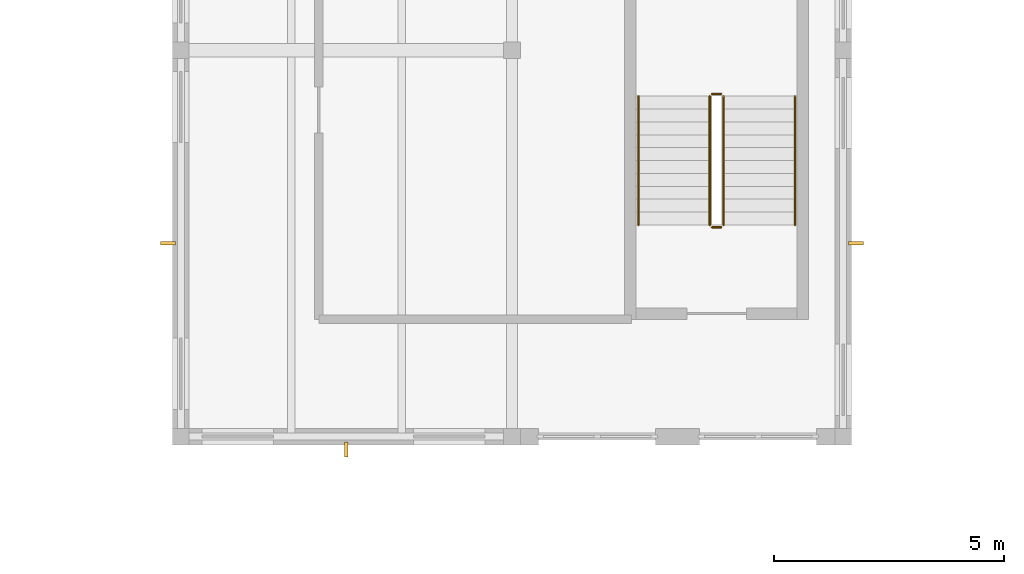
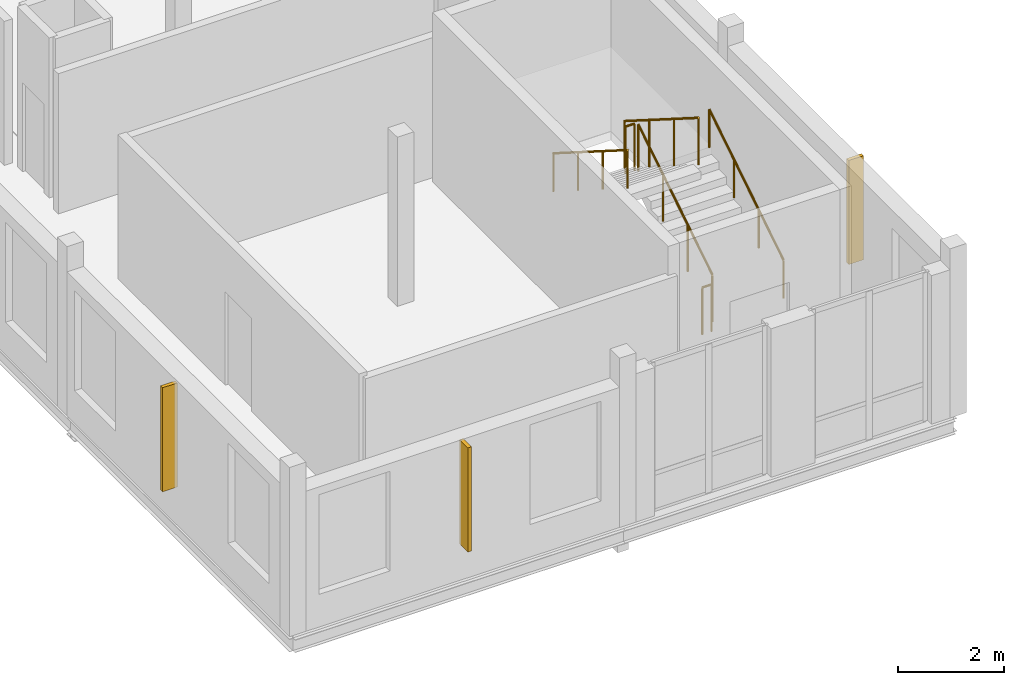
# One storey, part 32 of 34: 6 railings, 3 shading devices.
"""IFC4 building model written with IfcOpenShell, lengths in metres."""

from ifc_helpers import new_model, si_unit, direction, frame, origin, origin_2d, place, context, subcontext, project, spatial, rectangle, circle, extrude, material, type_object, element, save


model = new_model("IFC4")

# Units and contexts
model_context = context("Model", 3, precision=1e-05, world=origin(), true_north=direction((0.0, 1.0)))
body_context = subcontext(model_context, "Body", "Model", "MODEL_VIEW")
ifc_project = project(units=[si_unit("LENGTHUNIT", "METRE"), si_unit("AREAUNIT", "SQUARE_METRE"), si_unit("VOLUMEUNIT", "CUBIC_METRE"), si_unit("PLANEANGLEUNIT", "RADIAN"), si_unit("MASSUNIT", "GRAM", prefix="KILO")], contexts=[model_context])

# Site, building, storey
site_placement = place(None, origin())
site = spatial("IfcSite", under=ifc_project, at=site_placement, CompositionType="ELEMENT")
building_placement = place(site_placement, origin())
building = spatial("IfcBuilding", under=site, at=building_placement, Name="Kahlenmark Community Centre", CompositionType="ELEMENT")
storey_placement = place(building_placement, frame((0.0, 0.0, 17.699951171875)))
storey = spatial("IfcBuildingStorey", under=building, at=storey_placement, Name="L04", CompositionType="ELEMENT", Elevation=17.699951171875)

# Railings
ifc_material_1 = material(Name="Brushed stainless steel 1.4301 handrail", Category="steel")
railing_type_1 = type_object("IfcRailingType", Name="RLT-HR-900", PredefinedType="HANDRAIL", material=ifc_material_1)
railing_1_placement = place(storey_placement, frame((85.75, 55.39990234375, 0.17724609375)))
element("IfcRailing", 1, at=railing_1_placement, inside=storey, type_object=railing_type_1, Name="L04 ST-06 stair handrail 1", PredefinedType="HANDRAIL", context=body_context, shape_type="SweptSolid", body=[
    extrude(circle(Radius=0.02392578125, at=origin_2d()), frame((0.0, 0.0, 0.8759765625), z_axis=(0.0, 0.844908973607, 0.534910110503), x_axis=(-1.0, 0.0, 0.0)), (0.0, 0.0, 1.0), 3.31396484375),
    extrude(circle(Radius=0.02099609375, at=origin_2d()), origin(), (0.0, 0.0, 1.0), 0.851806640625),
    extrude(circle(Radius=0.02099609375, at=origin_2d()), frame((0.0, 0.933349609375, 0.5908203125)), (0.0, 0.0, 1.0), 0.851806640625),
    extrude(circle(Radius=0.02099609375, at=origin_2d()), frame((0.0, 1.86669921875, 1.181884765625)), (0.0, 0.0, 1.0), 0.851806640625),
    extrude(circle(Radius=0.02099609375, at=origin_2d()), frame((0.0, 2.800048828125, 1.772705078125)), (0.0, 0.0, 1.0), 0.851806640625),
])
railing_2_placement = place(storey_placement, frame((82.35009765625, 58.199951171875, 2.12744140625)))
element("IfcRailing", 2, at=railing_2_placement, inside=storey, type_object=railing_type_1, Name="L04 ST-06 stair handrail 2", PredefinedType="HANDRAIL", context=body_context, shape_type="SweptSolid", body=[
    extrude(circle(Radius=0.02392578125, at=origin_2d()), frame((0.0, 0.0, 0.8759765625), z_axis=(0.0, -0.844908973607, 0.534910110503), x_axis=(1.0, 0.0, 0.0)), (0.0, 0.0, 1.0), 3.31396484375),
    extrude(circle(Radius=0.02099609375, at=origin_2d()), origin(), (0.0, 0.0, 1.0), 0.851806640625),
    extrude(circle(Radius=0.02099609375, at=origin_2d()), frame((0.0, -0.933349609375, 0.5908203125)), (0.0, 0.0, 1.0), 0.851806640625),
    extrude(circle(Radius=0.02099609375, at=origin_2d()), frame((0.0, -1.86669921875, 1.181884765625)), (0.0, 0.0, 1.0), 0.851806640625),
    extrude(circle(Radius=0.02099609375, at=origin_2d()), frame((0.0, -2.800048828125, 1.772705078125)), (0.0, 0.0, 1.0), 0.851806640625),
])
ifc_material_2 = material(Name="Powder-coated steel stair well guard", Category="steel")
railing_type_2 = type_object("IfcRailingType", Name="RLT-SG-1120", PredefinedType="GUARDRAIL", material=ifc_material_2)
railing_3_placement = place(storey_placement, frame((84.199951171875, 55.39990234375, 0.17724609375)))
element("IfcRailing", 3, at=railing_3_placement, inside=storey, type_object=railing_type_2, Name="L04 ST-06 stair guard 1", PredefinedType="GUARDRAIL", context=body_context, shape_type="SweptSolid", body=[
    extrude(circle(Radius=0.02392578125, at=origin_2d()), frame((0.0, 0.0, 1.076171875), z_axis=(0.0, 0.844908973607, 0.534910110503), x_axis=(-1.0, 0.0, 0.0)), (0.0, 0.0, 1.0), 3.31396484375),
    extrude(circle(Radius=0.02099609375, at=origin_2d()), origin(), (0.0, 0.0, 1.0), 1.052001953125),
    extrude(circle(Radius=0.02099609375, at=origin_2d()), frame((0.0, 0.933349609375, 0.5908203125)), (0.0, 0.0, 1.0), 1.052001953125),
    extrude(circle(Radius=0.02099609375, at=origin_2d()), frame((0.0, 1.86669921875, 1.181884765625)), (0.0, 0.0, 1.0), 1.052001953125),
    extrude(circle(Radius=0.02099609375, at=origin_2d()), frame((0.0, 2.800048828125, 1.772705078125)), (0.0, 0.0, 1.0), 1.052001953125),
])
railing_4_placement = place(storey_placement, frame((84.14990234375, 58.25, 1.949951171875)))
element("IfcRailing", 4, at=railing_4_placement, inside=storey, type_object=railing_type_2, Name="L04 ST-06 stair guard 2", PredefinedType="GUARDRAIL", context=body_context, shape_type="SweptSolid", body=[
    extrude(circle(Radius=0.02392578125, at=origin_2d()), frame((0.0, 0.0, 1.076171875), z_axis=(-1.0, 0.0, 0.0), x_axis=(0.0, -1.0, 0.0)), (0.0, 0.0, 1.0), 0.199951171875),
    extrude(circle(Radius=0.02099609375, at=origin_2d()), origin(), (0.0, 0.0, 1.0), 1.052001953125),
    extrude(circle(Radius=0.02099609375, at=origin_2d()), frame((-0.199951171875, 0.0, 0.0)), (0.0, 0.0, 1.0), 1.052001953125),
])
railing_5_placement = place(storey_placement, frame((83.89990234375, 58.199951171875, 2.12744140625)))
element("IfcRailing", 5, at=railing_5_placement, inside=storey, type_object=railing_type_2, Name="L04 ST-06 stair guard 3", PredefinedType="GUARDRAIL", context=body_context, shape_type="SweptSolid", body=[
    extrude(circle(Radius=0.02392578125, at=origin_2d()), frame((0.0, 0.0, 1.076171875), z_axis=(0.0, -0.844908973607, 0.534910110503), x_axis=(1.0, 0.0, 0.0)), (0.0, 0.0, 1.0), 3.31396484375),
    extrude(circle(Radius=0.02099609375, at=origin_2d()), origin(), (0.0, 0.0, 1.0), 1.052001953125),
    extrude(circle(Radius=0.02099609375, at=origin_2d()), frame((0.0, -0.933349609375, 0.5908203125)), (0.0, 0.0, 1.0), 1.052001953125),
    extrude(circle(Radius=0.02099609375, at=origin_2d()), frame((0.0, -1.86669921875, 1.181884765625)), (0.0, 0.0, 1.0), 1.052001953125),
    extrude(circle(Radius=0.02099609375, at=origin_2d()), frame((0.0, -2.800048828125, 1.772705078125)), (0.0, 0.0, 1.0), 1.052001953125),
])
railing_6_placement = place(storey_placement, frame((84.14990234375, 55.35009765625, 0.0)))
element("IfcRailing", 6, at=railing_6_placement, inside=storey, type_object=railing_type_2, Name="L04 ST-06 stair guard 4", PredefinedType="GUARDRAIL", context=body_context, shape_type="SweptSolid", body=[
    extrude(circle(Radius=0.02392578125, at=origin_2d()), frame((0.0, 0.0, 1.076171875), z_axis=(-1.0, 0.0, 0.0), x_axis=(0.0, -1.0, 0.0)), (0.0, 0.0, 1.0), 0.199951171875),
    extrude(circle(Radius=0.02099609375, at=origin_2d()), origin(), (0.0, 0.0, 1.0), 1.052001953125),
    extrude(circle(Radius=0.02099609375, at=origin_2d()), frame((-0.199951171875, 0.0, 0.0)), (0.0, 0.0, 1.0), 1.052001953125),
])

# Shading devices
ifc_material_3 = material(Name="Extruded warm terracotta solar fin", Category="masonry")
shading_device_type = type_object("IfcShadingDeviceType", Name="SDT-FIN-320", PredefinedType="NOTDEFINED", material=ifc_material_3)
for number, where, z_axis, x_axis, name in (
    (7, (76.0, 50.52001953125, 0.800048828125), (0.0, 0.0, 1.0), (1.0, 0.0, 0.0), "Terracotta solar fin 0010"),
    (8, (72.1201171875, 55.0, 0.800048828125), (0.0, 0.0, 1.0), (0.0, -1.0, 0.0), "Terracotta solar fin 0011"),
    (9, (87.080078125, 55.0, 0.800048828125), (0.0, 0.0, 1.0), (0.0, 1.0, 0.0), "Terracotta solar fin 0012"),
):
    element("IfcShadingDevice", number, at=place(storey_placement, frame(where, z_axis=z_axis, x_axis=x_axis)), inside=storey, type_object=shading_device_type, Name=name, PredefinedType="NOTDEFINED", context=body_context, shape_type="SweptSolid", body=[
        extrude(rectangle(XDim=0.080078125, YDim=0.320068359375, at=origin_2d()), origin(), (0.0, 0.0, 1.0), 2.39990234375),
    ])

save(model, "model.ifc")
